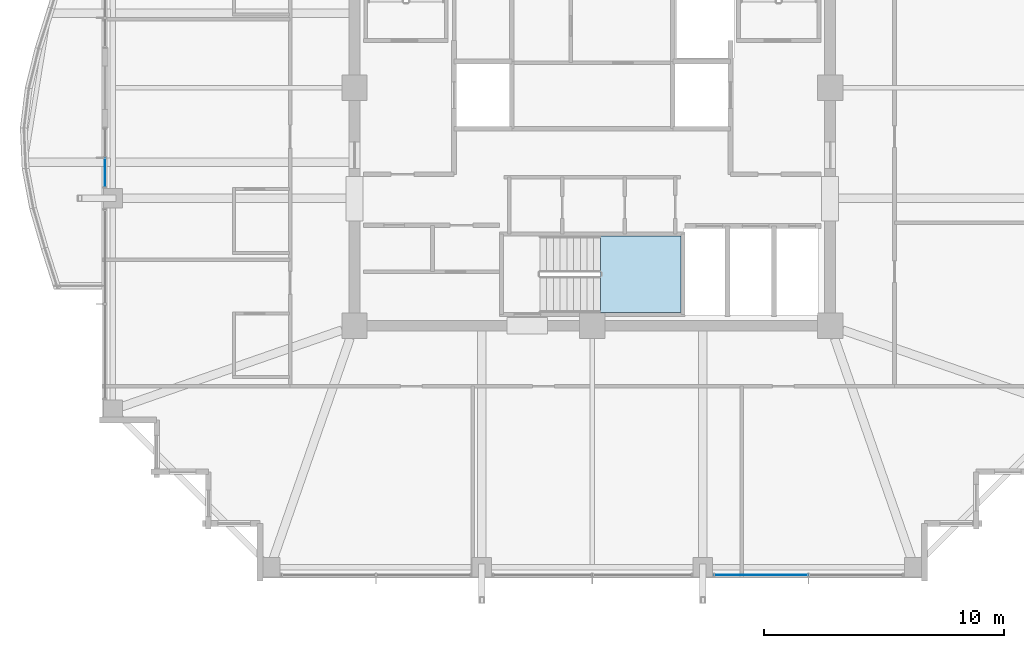
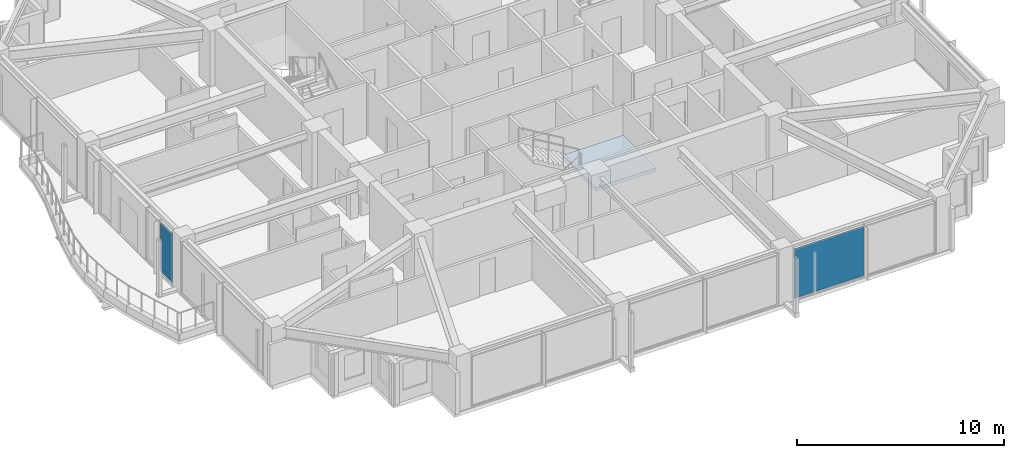
# One storey, part 21 of 33: 2 plates, 1 slab, 3 elements without a shape of their own.
"""IFC4 building model written with IfcOpenShell, lengths in metres."""

from ifc_helpers import new_model, si_unit, direction, frame, origin, origin_2d, place, context, subcontext, project, spatial, polyline, rectangle, outline, extrude, material, layer, layer_set, type_object, element, aggregate, save


model = new_model("IFC4")

# Units and contexts
model_context = context("Model", 3, precision=1e-05, world=origin(), true_north=direction((0.0, 1.0)))
body_context = subcontext(model_context, "Body", "Model", "MODEL_VIEW")
ifc_project = project(units=[si_unit("LENGTHUNIT", "METRE"), si_unit("AREAUNIT", "SQUARE_METRE"), si_unit("VOLUMEUNIT", "CUBIC_METRE"), si_unit("PLANEANGLEUNIT", "RADIAN"), si_unit("MASSUNIT", "GRAM", prefix="KILO")], contexts=[model_context])

# Site, building, storey
site_placement = place(None, origin())
site = spatial("IfcSite", under=ifc_project, at=site_placement, CompositionType="ELEMENT")
building_placement = place(site_placement, origin())
building = spatial("IfcBuilding", under=site, at=building_placement, Name="Kolvaren Belvedere", CompositionType="ELEMENT")
storey_placement = place(building_placement, frame((0.0, 0.0, 209.699951171875)))
storey = spatial("IfcBuildingStorey", under=building, at=storey_placement, Name="L61", CompositionType="ELEMENT", Elevation=209.699951171875)

# Curtain wall, plate
ifc_material_1 = material(Name="Anodised pale-metal aluminium AA 6063-T6", Category="aluminium")
curtain_wall_type = type_object("IfcCurtainWallType", Name="CW-Z5-HIGH", PredefinedType="NOTDEFINED", material=ifc_material_1)
curtain_wall_1_placement = place(storey_placement, origin())
curtain_wall_1 = element("IfcCurtainWall", 1, at=curtain_wall_1_placement, inside=storey, type_object=curtain_wall_type, Name="L61 Unitised Curtain Wall FCW-L61-S-B1", PredefinedType="NOTDEFINED")
ifc_material_2 = material(Name="Low-iron triple insulated glass", Category="glass")
ifc_layer_1 = layer(ifc_material_2, 0.028076171875)
ifc_layer_set_1 = layer_set([ifc_layer_1], Name="Low-iron triple insulated glass")
plate_type = type_object("IfcPlateType", Name="CW-PNL-VIS28", PredefinedType="CURTAIN_PANEL", material=ifc_layer_set_1)
plate_1_placement = place(storey_placement, frame((7.027587890625, -20.280029296875, 0.080078125), z_axis=(0.0, 0.0, 1.0), x_axis=(-1.0, 0.0, 0.0)))
plate_1 = element("IfcPlate", 2, at=plate_1_placement, type_object=plate_type, Name="FCW-L61-S-B1 Vision Glazing Panel 2", PredefinedType="CURTAIN_PANEL", context=body_context, shape_type="SweptSolid", body=[
    extrude(rectangle(XDim=3.864990234375, YDim=0.028076171875, at=origin_2d()), origin(), (0.0, 0.0, 1.0), 2.919921875),
])
aggregate(curtain_wall_1, [plate_1])

curtain_wall_2_placement = place(storey_placement, origin())
curtain_wall_2 = element("IfcCurtainWall", 3, at=curtain_wall_2_placement, inside=storey, type_object=curtain_wall_type, Name="L61 Unitised Curtain Wall FCW-L61-W1-B2", PredefinedType="NOTDEFINED")
plate_2_placement = place(storey_placement, frame((-20.280029296875, -3.52880859375, 0.080078125), z_axis=(0.0, 0.0, 1.0), x_axis=(0.0, 1.0, 0.0)))
plate_2 = element("IfcPlate", 4, at=plate_2_placement, type_object=plate_type, Name="FCW-L61-W1-B2 Vision Glazing Panel 1", PredefinedType="CURTAIN_PANEL", context=body_context, shape_type="SweptSolid", body=[
    extrude(rectangle(XDim=1.152587890625, YDim=0.028076171875, at=origin_2d()), origin(), (0.0, 0.0, 1.0), 2.919921875),
])
aggregate(curtain_wall_2, [plate_2])

# Stair, slab
ifc_material_3 = material(Name="Concrete C50/60", Category="concrete")
stair_type = type_object("IfcStairType", Name="ST-CORE-1520", PredefinedType="HALF_TURN_STAIR", material=ifc_material_3)
stair_placement = place(storey_placement, origin())
stair = element("IfcStair", 5, at=stair_placement, inside=storey, type_object=stair_type, Name="L61 Protected Exit Stair ST-3", PredefinedType="HALF_TURN_STAIR")
ifc_material_4 = material(Name="Concrete C50/60", Category="concrete")
ifc_layer_2 = layer(ifc_material_4, 0.260009765625)
ifc_layer_set_2 = layer_set([ifc_layer_2], Name="Concrete C50/60")
slab_type = type_object("IfcSlabType", Name="SL-LAND-260", PredefinedType="LANDING", material=ifc_layer_set_2)
slab_placement = place(storey_placement, frame((0.0, 0.0, 1.449951171875)))
slab = element("IfcSlab", 6, at=slab_placement, type_object=slab_type, Name="ST-3 landing 1", PredefinedType="LANDING", context=body_context, shape_type="SweptSolid", body=[
    extrude(outline(polyline([(0.340087890625, -9.35009765625), (3.699951171875, -9.35009765625), (3.699951171875, -6.159912109375), (0.340087890625, -6.159912109375), (0.340087890625, -9.35009765625)])), origin(), (0.0, 0.0, 1.0), 0.2001953125),
])
aggregate(stair, [slab])

save(model, "model.ifc")
